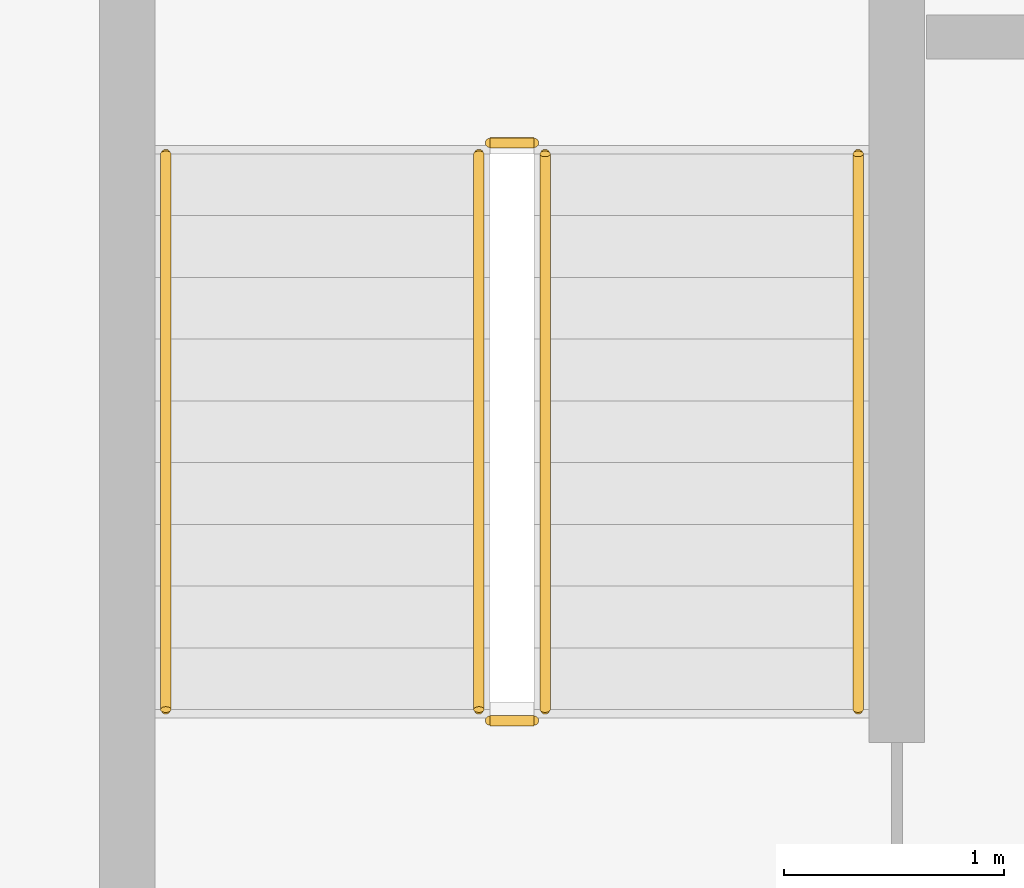
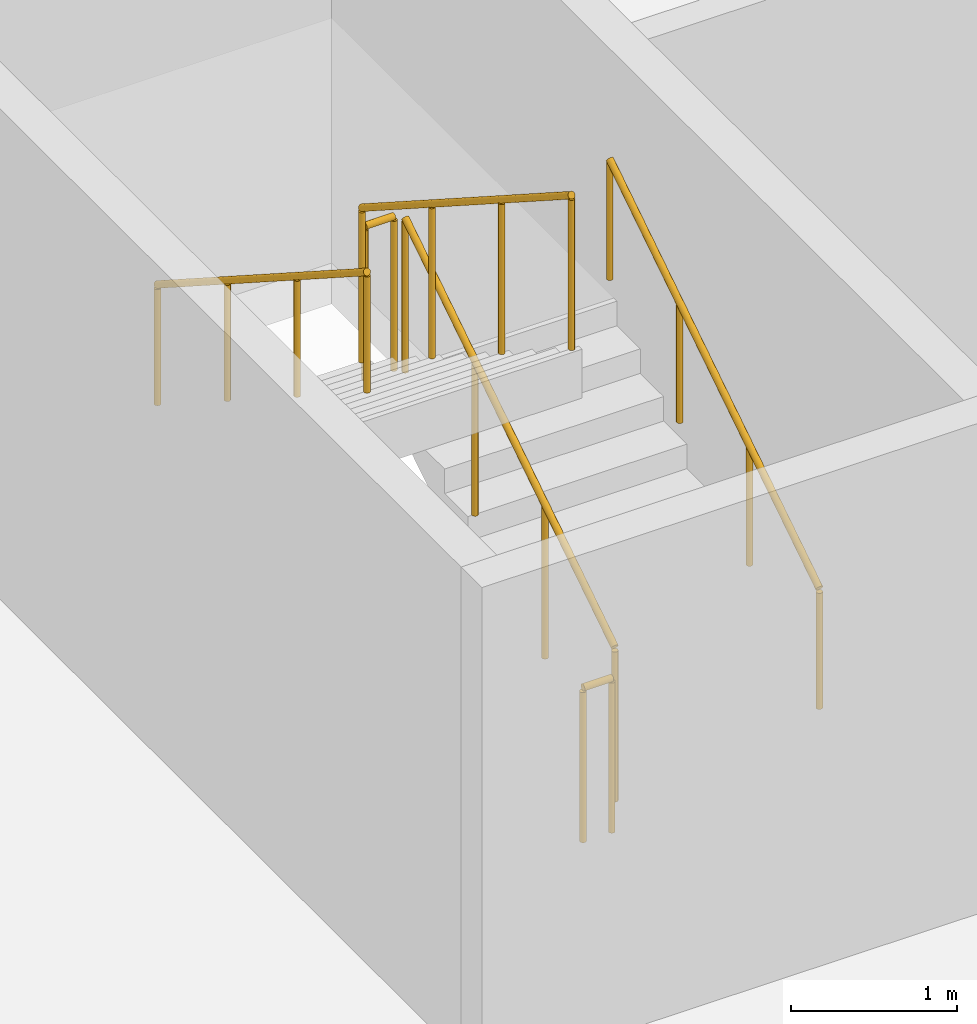
# One storey, part 15 of 22: 6 railings.
"""IFC4 building model written with IfcOpenShell, lengths in metres."""

from ifc_helpers import new_model, si_unit, direction, frame, origin, origin_2d, place, context, subcontext, project, spatial, circle, extrude, material, type_object, element, save


model = new_model("IFC4")

# Units and contexts
model_context = context("Model", 3, precision=1e-05, world=origin(), true_north=direction((0.0, 1.0)))
body_context = subcontext(model_context, "Body", "Model", "MODEL_VIEW")
ifc_project = project(units=[si_unit("LENGTHUNIT", "METRE"), si_unit("AREAUNIT", "SQUARE_METRE"), si_unit("VOLUMEUNIT", "CUBIC_METRE"), si_unit("PLANEANGLEUNIT", "RADIAN"), si_unit("MASSUNIT", "GRAM", prefix="KILO")], contexts=[model_context])

# Site, building, storey
site_placement = place(None, origin())
site = spatial("IfcSite", under=ifc_project, at=site_placement, CompositionType="ELEMENT")
building_placement = place(site_placement, origin())
building = spatial("IfcBuilding", under=site, at=building_placement, Name="Korimba Cascade Residences", CompositionType="ELEMENT")
storey_placement = place(building_placement, frame((0.0, 0.0, -7.199951171875)))
storey = spatial("IfcBuildingStorey", under=building, at=storey_placement, Name="B02", CompositionType="ELEMENT", Elevation=-7.199951171875)

# Railings
ifc_material_1 = material(Name="Painted Steel Stairwell Guardrail", Category="steel")
railing_type_1 = type_object("IfcRailingType", Name="RLG-ST-GD1150", PredefinedType="GUARDRAIL", material=ifc_material_1)
railing_1_placement = place(storey_placement, frame((59.77001953125, -11.14990234375, 0.179931640625)))
element("IfcRailing", 1, at=railing_1_placement, inside=storey, type_object=railing_type_1, Name="B02 ST-P3 stair guard 1", PredefinedType="GUARDRAIL", context=body_context, shape_type="SweptSolid", body=[
    extrude(circle(Radius=0.02392578125, at=origin_2d()), frame((0.0, 0.0, 1.1259765625), z_axis=(0.0, 0.841162588446, 0.540782303519), x_axis=(-1.0, 0.0, 0.0)), (0.0, 0.0, 1.0), 2.995849609375),
    extrude(circle(Radius=0.02099609375, at=origin_2d()), origin(), (0.0, 0.0, 1.0), 1.101806640625),
    extrude(circle(Radius=0.02099609375, at=origin_2d()), frame((0.0, 0.840087890625, 0.5400390625)), (0.0, 0.0, 1.0), 1.101806640625),
    extrude(circle(Radius=0.02099609375, at=origin_2d()), frame((0.0, 1.679931640625, 1.080078125)), (0.0, 0.0, 1.0), 1.101806640625),
    extrude(circle(Radius=0.02099609375, at=origin_2d()), frame((0.0, 2.52001953125, 1.6201171875)), (0.0, 0.0, 1.0), 1.101806640625),
])
railing_2_placement = place(storey_placement, frame((59.719970703125, -8.580078125, 1.800048828125)))
element("IfcRailing", 2, at=railing_2_placement, inside=storey, type_object=railing_type_1, Name="B02 ST-P3 stair guard 2", PredefinedType="GUARDRAIL", context=body_context, shape_type="SweptSolid", body=[
    extrude(circle(Radius=0.02392578125, at=origin_2d()), frame((0.0, 0.0, 1.1259765625), z_axis=(-1.0, 0.0, 0.0), x_axis=(0.0, -1.0, 0.0)), (0.0, 0.0, 1.0), 0.199951171875),
    extrude(circle(Radius=0.02099609375, at=origin_2d()), origin(), (0.0, 0.0, 1.0), 1.101806640625),
    extrude(circle(Radius=0.02099609375, at=origin_2d()), frame((-0.199951171875, 0.0, 0.0)), (0.0, 0.0, 1.0), 1.101806640625),
])
railing_3_placement = place(storey_placement, frame((59.469970703125, -8.6298828125, 1.97998046875)))
element("IfcRailing", 3, at=railing_3_placement, inside=storey, type_object=railing_type_1, Name="B02 ST-P3 stair guard 3", PredefinedType="GUARDRAIL", context=body_context, shape_type="SweptSolid", body=[
    extrude(circle(Radius=0.02392578125, at=origin_2d()), frame((0.0, 0.0, 1.1259765625), z_axis=(0.0, -0.841199657755, 0.540724639528), x_axis=(1.0, 0.0, 0.0)), (0.0, 0.0, 1.0), 2.995849609375),
    extrude(circle(Radius=0.02099609375, at=origin_2d()), origin(), (0.0, 0.0, 1.0), 1.101806640625),
    extrude(circle(Radius=0.02099609375, at=origin_2d()), frame((0.0, -0.840087890625, 0.5400390625)), (0.0, 0.0, 1.0), 1.101806640625),
    extrude(circle(Radius=0.02099609375, at=origin_2d()), frame((0.0, -1.679931640625, 1.079833984375)), (0.0, 0.0, 1.0), 1.101806640625),
    extrude(circle(Radius=0.02099609375, at=origin_2d()), frame((0.0, -2.52001953125, 1.619873046875)), (0.0, 0.0, 1.0), 1.101806640625),
])
railing_4_placement = place(storey_placement, frame((59.719970703125, -11.199951171875, 0.0)))
element("IfcRailing", 4, at=railing_4_placement, inside=storey, type_object=railing_type_1, Name="B02 ST-P3 stair guard 4", PredefinedType="GUARDRAIL", context=body_context, shape_type="SweptSolid", body=[
    extrude(circle(Radius=0.02392578125, at=origin_2d()), frame((0.0, 0.0, 1.1259765625), z_axis=(-1.0, 0.0, 0.0), x_axis=(0.0, -1.0, 0.0)), (0.0, 0.0, 1.0), 0.199951171875),
    extrude(circle(Radius=0.02099609375, at=origin_2d()), origin(), (0.0, 0.0, 1.0), 1.101806640625),
    extrude(circle(Radius=0.02099609375, at=origin_2d()), frame((-0.199951171875, 0.0, 0.0)), (0.0, 0.0, 1.0), 1.101806640625),
])
ifc_material_2 = material(Name="Brushed Stainless Steel Handrail", Category="steel")
railing_type_2 = type_object("IfcRailingType", Name="RLG-ST-HR900", PredefinedType="HANDRAIL", material=ifc_material_2)
railing_5_placement = place(storey_placement, frame((61.18994140625, -11.14990234375, 0.36376953125)))
element("IfcRailing", 5, at=railing_5_placement, inside=storey, type_object=railing_type_2, Name="B02 ST-P3 stair handrail 1", PredefinedType="HANDRAIL", context=body_context, shape_type="SweptSolid", body=[
    extrude(circle(Radius=0.02392578125, at=origin_2d()), frame((0.0, 0.0, 0.8759765625), z_axis=(0.0, 0.841199657755, 0.540724639528), x_axis=(-1.0, 0.0, 0.0)), (0.0, 0.0, 1.0), 2.995849609375),
    extrude(circle(Radius=0.02099609375, at=origin_2d()), origin(), (0.0, 0.0, 1.0), 0.851806640625),
    extrude(circle(Radius=0.02099609375, at=origin_2d()), frame((0.0, 0.840087890625, 0.5400390625)), (0.0, 0.0, 1.0), 0.851806640625),
    extrude(circle(Radius=0.02099609375, at=origin_2d()), frame((0.0, 1.679931640625, 1.079833984375)), (0.0, 0.0, 1.0), 0.851806640625),
    extrude(circle(Radius=0.02099609375, at=origin_2d()), frame((0.0, 2.52001953125, 1.619873046875)), (0.0, 0.0, 1.0), 0.851806640625),
])
railing_6_placement = place(storey_placement, frame((58.050048828125, -8.6298828125, 2.163818359375)))
element("IfcRailing", 6, at=railing_6_placement, inside=storey, type_object=railing_type_2, Name="B02 ST-P3 stair handrail 2", PredefinedType="HANDRAIL", context=body_context, shape_type="SweptSolid", body=[
    extrude(circle(Radius=0.02392578125, at=origin_2d()), frame((0.0, 0.0, 0.8759765625), z_axis=(0.0, -0.841199657755, 0.540724639528), x_axis=(1.0, 0.0, 0.0)), (0.0, 0.0, 1.0), 2.995849609375),
    extrude(circle(Radius=0.02099609375, at=origin_2d()), origin(), (0.0, 0.0, 1.0), 0.851806640625),
    extrude(circle(Radius=0.02099609375, at=origin_2d()), frame((0.0, -0.840087890625, 0.5400390625)), (0.0, 0.0, 1.0), 0.851806640625),
    extrude(circle(Radius=0.02099609375, at=origin_2d()), frame((0.0, -1.679931640625, 1.079833984375)), (0.0, 0.0, 1.0), 0.851806640625),
    extrude(circle(Radius=0.02099609375, at=origin_2d()), frame((0.0, -2.52001953125, 1.619873046875)), (0.0, 0.0, 1.0), 0.851806640625),
])

save(model, "model.ifc")
